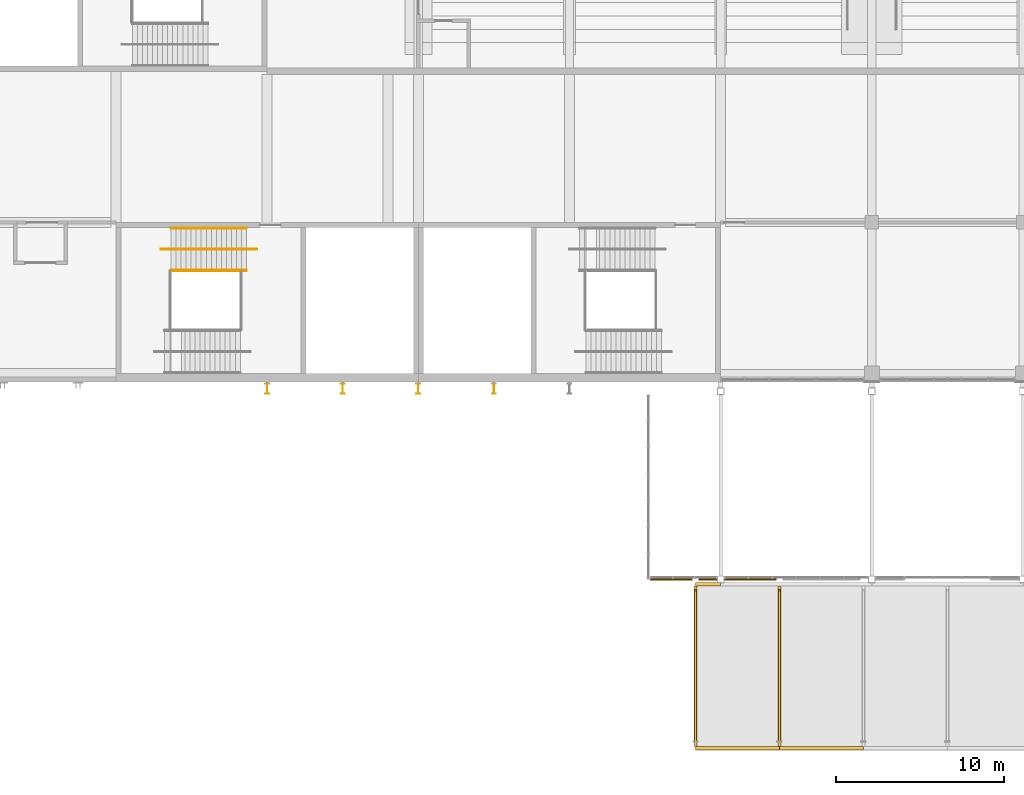
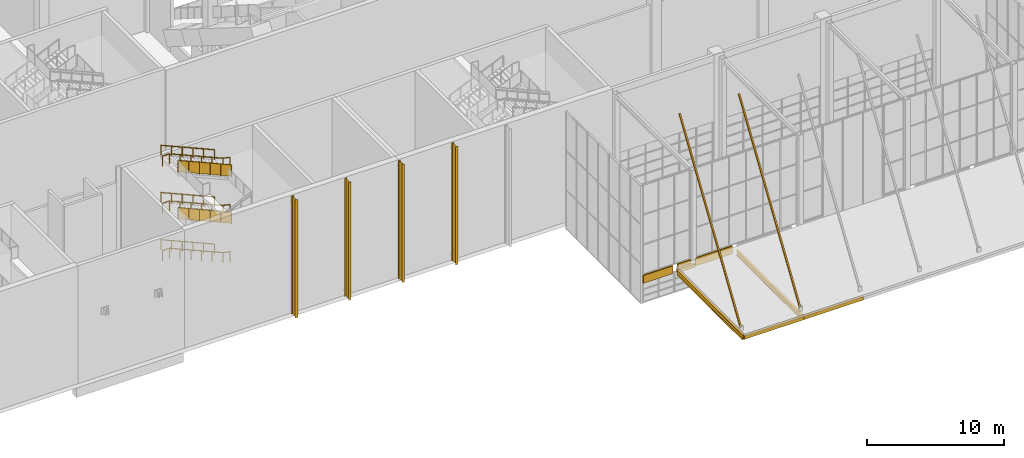
# One storey, part 140 of 182: 11 shading devices, 9 railings, 3 coverings.
"""IFC4 building model written with IfcOpenShell, lengths in metres."""

from ifc_helpers import new_model, si_unit, direction, frame, origin, origin_2d, place, context, subcontext, project, spatial, polyline, hollow_rectangle, circle, i_section, outline, extrude, material, layer, layer_set, material_profile, profile_set, type_object, element, save


model = new_model("IFC4")

# Units and contexts
model_context = context("Model", 3, precision=1e-05, world=origin(), true_north=direction((0.0, 1.0)))
body_context = subcontext(model_context, "Body", "Model", "MODEL_VIEW")
ifc_project = project(units=[si_unit("LENGTHUNIT", "METRE"), si_unit("AREAUNIT", "SQUARE_METRE"), si_unit("VOLUMEUNIT", "CUBIC_METRE"), si_unit("PLANEANGLEUNIT", "RADIAN"), si_unit("MASSUNIT", "GRAM", prefix="KILO")], contexts=[model_context])

# Site, building, storey
site_placement = place(None, origin())
site = spatial("IfcSite", under=ifc_project, at=site_placement, CompositionType="ELEMENT")
building_placement = place(site_placement, origin())
building = spatial("IfcBuilding", under=site, at=building_placement, Name="Silverbay Arena", CompositionType="ELEMENT")
storey_placement = place(building_placement, frame((0.0, 0.0, 11.5)))
storey = spatial("IfcBuildingStorey", under=building, at=storey_placement, Name="L02", CompositionType="ELEMENT", Elevation=11.5)

# Coverings
ifc_material_1 = material(Name="Aluminium composite cladding", Category="aluminium")
ifc_layer = layer(ifc_material_1, 0.10009765625)
ifc_layer_set = layer_set([ifc_layer], Name="Aluminium composite cladding")
covering_type = type_object("IfcCoveringType", Name="Canopy band cladding 100", PredefinedType="CLADDING", material=ifc_layer_set)
covering_1_placement = place(storey_placement, frame((0.0, 0.0, 1.800048828125)))
element("IfcCovering", 1, at=covering_1_placement, inside=storey, type_object=covering_type, Name="Canopy band cladding", PredefinedType="CLADDING", context=body_context, shape_type="SweptSolid", body=[
    extrude(outline(polyline([(117.199951171875, 5.699951171875), (120.300048828125, 5.699951171875), (120.300048828125, 5.800048828125), (117.199951171875, 5.800048828125), (117.199951171875, 5.699951171875)])), origin(), (0.0, 0.0, 1.0), 0.699951171875),
])
covering_2_placement = place(storey_placement, frame((0.0, 0.0, 1.800048828125)))
element("IfcCovering", 2, at=covering_2_placement, inside=storey, type_object=covering_type, Name="Canopy band cladding", PredefinedType="CLADDING", context=body_context, shape_type="SweptSolid", body=[
    extrude(outline(polyline([(112.800048828125, 5.699951171875), (115.300048828125, 5.699951171875), (115.300048828125, 5.800048828125), (112.800048828125, 5.800048828125), (112.800048828125, 5.699951171875)])), origin(), (0.0, 0.0, 1.0), 0.699951171875),
])
covering_3_placement = place(storey_placement, frame((0.0, 0.0, 1.800048828125)))
element("IfcCovering", 3, at=covering_3_placement, inside=storey, type_object=covering_type, Name="Canopy band cladding", PredefinedType="CLADDING", context=body_context, shape_type="SweptSolid", body=[
    extrude(outline(polyline([(115.699951171875, 5.699951171875), (116.800048828125, 5.699951171875), (116.800048828125, 5.800048828125), (115.699951171875, 5.800048828125), (115.699951171875, 5.699951171875)])), origin(), (0.0, 0.0, 1.0), 0.699951171875),
])

# Shading devices
ifc_material_2 = material(Name="Steel S355", Category="steel")
ifc_material_profile_1 = material_profile(ifc_material_2, i_section(OverallWidth=0.18994140625, OverallDepth=0.453369140625, WebThickness=0.008544921875, FlangeThickness=0.0126953125, at=origin_2d()), Name="UB 457x191x67")
ifc_profile_set_1 = profile_set([ifc_material_profile_1], Name="Steel S355")
shading_device_type_1 = type_object("IfcShadingDeviceType", Name="Canopy beam UB 457x191x67", PredefinedType="USERDEFINED", material=ifc_profile_set_1)
for number, where, z_axis, x_axis, name in (
    (4, (115.5, 5.35009765625, 2.0732421875), (0.0, -1.0, 0.0), (1.0, 0.0, 0.0), "South entrance hall S1 canopy beam 1"),
    (5, (120.5, 5.35009765625, 2.0732421875), (0.0, -1.0, 0.0), (1.0, 0.0, 0.0), "South entrance hall S1 canopy beam 2"),
):
    element("IfcShadingDevice", number, at=place(storey_placement, frame(where, z_axis=z_axis, x_axis=x_axis)), inside=storey, type_object=shading_device_type_1, Name=name, ObjectType="CANOPY FRAME", PredefinedType="USERDEFINED", context=body_context, shape_type="SweptSolid", body=[
        extrude(i_section(OverallWidth=0.18994140625, OverallDepth=0.453369140625, WebThickness=0.008544921875, FlangeThickness=0.0126953125, at=origin_2d()), origin(), (0.0, 0.0, 1.0), 9.550048828125),
    ])
ifc_material_3 = material(Name="Steel S355", Category="steel")
ifc_material_profile_2 = material_profile(ifc_material_3, hollow_rectangle(XDim=0.199951171875, YDim=0.300048828125, WallThickness=0.008056640625, at=origin_2d()), Name="RHS 300x200x8")
ifc_profile_set_2 = profile_set([ifc_material_profile_2], Name="Steel S355")
shading_device_type_2 = type_object("IfcShadingDeviceType", Name="Canopy edge beam RHS 300x200x8", PredefinedType="USERDEFINED", material=ifc_profile_set_2)
for number, where, z_axis, x_axis, name in (
    (6, (115.5, -4.300048828125, 2.14990234375), (1.0, 0.0, 0.0), (0.0, 1.0, 0.0), "South entrance hall S1 canopy edge beam 1"),
    (7, (120.5, -4.300048828125, 2.14990234375), (1.0, 0.0, 0.0), (0.0, 1.0, 0.0), "South entrance hall S1 canopy edge beam 2"),
):
    element("IfcShadingDevice", number, at=place(storey_placement, frame(where, z_axis=z_axis, x_axis=x_axis)), inside=storey, type_object=shading_device_type_2, Name=name, ObjectType="CANOPY FRAME", PredefinedType="USERDEFINED", context=body_context, shape_type="SweptSolid", body=[
        extrude(hollow_rectangle(XDim=0.199951171875, YDim=0.300048828125, WallThickness=0.008056640625, at=origin_2d()), origin(), (0.0, 0.0, 1.0), 5.0),
    ])
ifc_material_4 = material(Name="Steel S355", Category="steel")
ifc_material_profile_3 = material_profile(ifc_material_4, hollow_rectangle(XDim=0.199951171875, YDim=0.300048828125, WallThickness=0.008056640625, at=origin_2d()), Name="RHS 300x200x8")
ifc_profile_set_3 = profile_set([ifc_material_profile_3], Name="Steel S355")
shading_device_type_3 = type_object("IfcShadingDeviceType", Name="Canopy rail RHS 300x200x8", PredefinedType="USERDEFINED", material=ifc_profile_set_3)
shading_device_placement = place(storey_placement, frame((115.5, 5.449951171875, 2.14990234375), z_axis=(1.0, 0.0, 0.0), x_axis=(0.0, 1.0, 0.0)))
element("IfcShadingDevice", 8, at=shading_device_placement, inside=storey, type_object=shading_device_type_3, Name="South entrance hall S1 canopy rail 1", ObjectType="CANOPY FRAME", PredefinedType="USERDEFINED", context=body_context, shape_type="SweptSolid", body=[
    extrude(hollow_rectangle(XDim=0.199951171875, YDim=0.300048828125, WallThickness=0.008056640625, at=origin_2d()), origin(), (0.0, 0.0, 1.0), 1.5),
])
ifc_material_5 = material(Name="Steel S355", Category="steel")
ifc_material_profile_4 = material_profile(ifc_material_5, hollow_rectangle(XDim=0.1201171875, YDim=0.1201171875, WallThickness=0.00634765625, at=origin_2d()), Name="SHS 120x120x6.3")
ifc_profile_set_4 = profile_set([ifc_material_profile_4], Name="Steel S355")
shading_device_type_4 = type_object("IfcShadingDeviceType", Name="Canopy tie SHS 120x120x6.3", PredefinedType="USERDEFINED", material=ifc_profile_set_4)
for number, where, z_axis, x_axis, name in (
    (9, (115.5, 5.10009765625, 16.35009765625), (0.0, -0.54832609761, -0.83626460566), (1.0, 0.0, 0.0), "South entrance hall S1 canopy tie 1"),
    (10, (120.5, 5.10009765625, 16.35009765625), (0.0, -0.54832609761, -0.83626460566), (1.0, 0.0, 0.0), "South entrance hall S1 canopy tie 2"),
):
    element("IfcShadingDevice", number, at=place(storey_placement, frame(where, z_axis=z_axis, x_axis=x_axis)), inside=storey, type_object=shading_device_type_4, Name=name, ObjectType="CANOPY FRAME", PredefinedType="USERDEFINED", context=body_context, shape_type="SweptSolid", body=[
        extrude(hollow_rectangle(XDim=0.1201171875, YDim=0.1201171875, WallThickness=0.00634765625, at=origin_2d()), origin(), (0.0, 0.0, 1.0), 16.32275390625),
    ])

# Railings
ifc_material_6 = material(Name="Stainless steel", Category="steel")
railing_type_1 = type_object("IfcRailingType", Name="Stair guard 1100", PredefinedType="GUARDRAIL", material=ifc_material_6)
railing_1_placement = place(storey_placement, frame((88.774169921875, 24.125, 4.331298828125)))
element("IfcRailing", 11, at=railing_1_placement, inside=storey, type_object=railing_type_1, Name="Stair ST-S1 L02 to L03 flight 3 guard right", PredefinedType="GUARDRAIL", context=body_context, shape_type="SweptSolid", body=[
    extrude(circle(Radius=0.02392578125, at=origin_2d()), frame((0.0, 0.0, 1.076171875), z_axis=(-0.916157334902, 0.0, 0.40081883402), x_axis=(0.0, -1.0, 0.0)), (0.0, 0.0, 1.0), 4.911865234375),
    extrude(outline(polyline([(-0.008056640625, 0.04638671875), (0.907958984375, 0.447265625), (0.907958984375, 1.4501953125), (-0.008056640625, 1.049560546875), (-0.008056640625, 0.04638671875)])), frame((0.0, -0.0029296875, 0.0), z_axis=(0.0, 1.0, 0.0), x_axis=(-1.0, 0.0, 0.0)), (0.0, 0.0, 1.0), 0.006103515625),
    extrude(outline(polyline([(-0.008056640625, 0.440185546875), (0.907958984375, 0.841064453125), (0.907958984375, 1.843994140625), (-0.008056640625, 1.443359375), (-0.008056640625, 0.440185546875)])), frame((-0.89990234375, -0.0029296875, 0.0), z_axis=(0.0, 1.0, 0.0), x_axis=(-1.0, 0.0, 0.0)), (0.0, 0.0, 1.0), 0.006103515625),
    extrude(outline(polyline([(-0.008056640625, 0.833984375), (0.907958984375, 1.23486328125), (0.907958984375, 2.23779296875), (-0.008056640625, 1.8369140625), (-0.008056640625, 0.833984375)])), frame((-1.800048828125, -0.0029296875, 0.0), z_axis=(0.0, 1.0, 0.0), x_axis=(-1.0, 0.0, 0.0)), (0.0, 0.0, 1.0), 0.006103515625),
    extrude(outline(polyline([(-0.008056640625, 1.227783203125), (0.907958984375, 1.62841796875), (0.907958984375, 2.631591796875), (-0.008056640625, 2.230712890625), (-0.008056640625, 1.227783203125)])), frame((-2.699951171875, -0.0029296875, 0.0), z_axis=(0.0, 1.0, 0.0), x_axis=(-1.0, 0.0, 0.0)), (0.0, 0.0, 1.0), 0.006103515625),
    extrude(outline(polyline([(-0.008056640625, 1.62158203125), (0.907958984375, 2.022216796875), (0.907958984375, 3.025146484375), (-0.008056640625, 2.62451171875), (-0.008056640625, 1.62158203125)])), frame((-3.60009765625, -0.0029296875, 0.0), z_axis=(0.0, 1.0, 0.0), x_axis=(-1.0, 0.0, 0.0)), (0.0, 0.0, 1.0), 0.006103515625),
    extrude(circle(Radius=0.02099609375, at=origin_2d()), origin(), (0.0, 0.0, 1.0), 1.052001953125),
    extrude(circle(Radius=0.02099609375, at=origin_2d()), frame((-0.89990234375, 0.0, 0.393798828125)), (0.0, 0.0, 1.0), 1.052001953125),
    extrude(circle(Radius=0.02099609375, at=origin_2d()), frame((-1.800048828125, 0.0, 0.78759765625)), (0.0, 0.0, 1.0), 1.052001953125),
    extrude(circle(Radius=0.02099609375, at=origin_2d()), frame((-2.699951171875, 0.0, 1.18115234375)), (0.0, 0.0, 1.0), 1.052001953125),
    extrude(circle(Radius=0.02099609375, at=origin_2d()), frame((-3.60009765625, 0.0, 1.574951171875)), (0.0, 0.0, 1.0), 1.052001953125),
    extrude(circle(Radius=0.02099609375, at=origin_2d()), frame((-4.5, 0.0, 1.96875)), (0.0, 0.0, 1.0), 1.052001953125),
])
railing_2_placement = place(storey_placement, frame((88.774169921875, 24.125, 8.53125)))
element("IfcRailing", 12, at=railing_2_placement, inside=storey, type_object=railing_type_1, Name="Stair ST-S1 L02 to L03 flight 5 guard right", PredefinedType="GUARDRAIL", context=body_context, shape_type="SweptSolid", body=[
    extrude(circle(Radius=0.02392578125, at=origin_2d()), frame((0.0, 0.0, 1.076171875), z_axis=(-0.916157334902, 0.0, 0.40081883402), x_axis=(0.0, -1.0, 0.0)), (0.0, 0.0, 1.0), 4.911865234375),
    extrude(outline(polyline([(-0.008056640625, 0.04638671875), (0.907958984375, 0.447265625), (0.907958984375, 1.4501953125), (-0.008056640625, 1.049560546875), (-0.008056640625, 0.04638671875)])), frame((0.0, -0.0029296875, 0.0), z_axis=(0.0, 1.0, 0.0), x_axis=(-1.0, 0.0, 0.0)), (0.0, 0.0, 1.0), 0.006103515625),
    extrude(outline(polyline([(-0.008056640625, 0.440185546875), (0.907958984375, 0.841064453125), (0.907958984375, 1.843994140625), (-0.008056640625, 1.443359375), (-0.008056640625, 0.440185546875)])), frame((-0.89990234375, -0.0029296875, 0.0), z_axis=(0.0, 1.0, 0.0), x_axis=(-1.0, 0.0, 0.0)), (0.0, 0.0, 1.0), 0.006103515625),
    extrude(outline(polyline([(-0.008056640625, 0.833984375), (0.907958984375, 1.23486328125), (0.907958984375, 2.23779296875), (-0.008056640625, 1.8369140625), (-0.008056640625, 0.833984375)])), frame((-1.800048828125, -0.0029296875, 0.0), z_axis=(0.0, 1.0, 0.0), x_axis=(-1.0, 0.0, 0.0)), (0.0, 0.0, 1.0), 0.006103515625),
    extrude(outline(polyline([(-0.008056640625, 1.227783203125), (0.907958984375, 1.62841796875), (0.907958984375, 2.631591796875), (-0.008056640625, 2.230712890625), (-0.008056640625, 1.227783203125)])), frame((-2.699951171875, -0.0029296875, 0.0), z_axis=(0.0, 1.0, 0.0), x_axis=(-1.0, 0.0, 0.0)), (0.0, 0.0, 1.0), 0.006103515625),
    extrude(outline(polyline([(-0.008056640625, 1.62158203125), (0.907958984375, 2.022216796875), (0.907958984375, 3.025146484375), (-0.008056640625, 2.62451171875), (-0.008056640625, 1.62158203125)])), frame((-3.60009765625, -0.0029296875, 0.0), z_axis=(0.0, 1.0, 0.0), x_axis=(-1.0, 0.0, 0.0)), (0.0, 0.0, 1.0), 0.006103515625),
    extrude(circle(Radius=0.02099609375, at=origin_2d()), origin(), (0.0, 0.0, 1.0), 1.052001953125),
    extrude(circle(Radius=0.02099609375, at=origin_2d()), frame((-0.89990234375, 0.0, 0.393798828125)), (0.0, 0.0, 1.0), 1.052001953125),
    extrude(circle(Radius=0.02099609375, at=origin_2d()), frame((-1.800048828125, 0.0, 0.78759765625)), (0.0, 0.0, 1.0), 1.052001953125),
    extrude(circle(Radius=0.02099609375, at=origin_2d()), frame((-2.699951171875, 0.0, 1.18115234375)), (0.0, 0.0, 1.0), 1.052001953125),
    extrude(circle(Radius=0.02099609375, at=origin_2d()), frame((-3.60009765625, 0.0, 1.574951171875)), (0.0, 0.0, 1.0), 1.052001953125),
    extrude(circle(Radius=0.02099609375, at=origin_2d()), frame((-4.5, 0.0, 1.96875)), (0.0, 0.0, 1.0), 1.052001953125),
])
ifc_material_7 = material(Name="Stainless steel", Category="steel")
railing_type_2 = type_object("IfcRailingType", Name="Stair handrail 900", PredefinedType="HANDRAIL", material=ifc_material_7)
railing_3_placement = place(storey_placement, frame((88.774169921875, 26.64990234375, 0.13134765625)))
element("IfcRailing", 13, at=railing_3_placement, inside=storey, type_object=railing_type_2, Name="Stair ST-S1 L02 to L03 flight 1 handrail left", PredefinedType="HANDRAIL", context=body_context, shape_type="SweptSolid", body=[
    extrude(circle(Radius=0.02392578125, at=origin_2d()), frame((0.0, 0.0, 0.8759765625), z_axis=(-0.916157334902, 0.0, 0.40081883402), x_axis=(0.0, -1.0, 0.0)), (0.0, 0.0, 1.0), 4.911865234375),
    extrude(circle(Radius=0.02099609375, at=origin_2d()), origin(), (0.0, 0.0, 1.0), 0.851806640625),
    extrude(circle(Radius=0.02099609375, at=origin_2d()), frame((-0.89990234375, 0.0, 0.393798828125)), (0.0, 0.0, 1.0), 0.851806640625),
    extrude(circle(Radius=0.02099609375, at=origin_2d()), frame((-1.800048828125, 0.0, 0.78759765625)), (0.0, 0.0, 1.0), 0.851806640625),
    extrude(circle(Radius=0.02099609375, at=origin_2d()), frame((-2.699951171875, 0.0, 1.18115234375)), (0.0, 0.0, 1.0), 0.851806640625),
    extrude(circle(Radius=0.02099609375, at=origin_2d()), frame((-3.60009765625, 0.0, 1.574951171875)), (0.0, 0.0, 1.0), 0.851806640625),
    extrude(circle(Radius=0.02099609375, at=origin_2d()), frame((-4.5, 0.0, 1.96875)), (0.0, 0.0, 1.0), 0.851806640625),
])
railing_4_placement = place(storey_placement, frame((89.374267578125, 25.39990234375, 0.0)))
element("IfcRailing", 14, at=railing_4_placement, inside=storey, type_object=railing_type_2, Name="Stair ST-S1 L02 to L03 flight 1 central handrail", PredefinedType="HANDRAIL", context=body_context, shape_type="SweptSolid", body=[
    extrude(circle(Radius=0.02392578125, at=origin_2d()), frame((0.0, 0.0, 0.8759765625), z_axis=(-0.976874083041, 0.0, 0.213815401414), x_axis=(0.0, -1.0, 0.0)), (0.0, 0.0, 1.0), 0.6142578125),
    extrude(circle(Radius=0.02392578125, at=origin_2d()), frame((-0.60009765625, 0.0, 1.00732421875), z_axis=(-0.916157334902, 0.0, 0.40081883402), x_axis=(0.0, -1.0, 0.0)), (0.0, 0.0, 1.0), 4.911865234375),
    extrude(circle(Radius=0.02392578125, at=origin_2d()), frame((-5.10009765625, 0.0, 2.97607421875), z_axis=(-1.0, 0.0, 0.0), x_axis=(0.0, -1.0, 0.0)), (0.0, 0.0, 1.0), 0.599853515625),
    extrude(circle(Radius=0.02099609375, at=origin_2d()), origin(), (0.0, 0.0, 1.0), 0.851806640625),
    extrude(circle(Radius=0.02099609375, at=origin_2d()), frame((-0.60009765625, 0.0, 0.13134765625)), (0.0, 0.0, 1.0), 0.851806640625),
    extrude(circle(Radius=0.02099609375, at=origin_2d()), frame((-1.5, 0.0, 0.525146484375)), (0.0, 0.0, 1.0), 0.851806640625),
    extrude(circle(Radius=0.02099609375, at=origin_2d()), frame((-2.400146484375, 0.0, 0.9189453125)), (0.0, 0.0, 1.0), 0.851806640625),
    extrude(circle(Radius=0.02099609375, at=origin_2d()), frame((-3.300048828125, 0.0, 1.3125)), (0.0, 0.0, 1.0), 0.851806640625),
    extrude(circle(Radius=0.02099609375, at=origin_2d()), frame((-4.2001953125, 0.0, 1.706298828125)), (0.0, 0.0, 1.0), 0.851806640625),
    extrude(circle(Radius=0.02099609375, at=origin_2d()), frame((-5.10009765625, 0.0, 2.10009765625)), (0.0, 0.0, 1.0), 0.851806640625),
    extrude(circle(Radius=0.02099609375, at=origin_2d()), frame((-5.699951171875, 0.0, 2.10009765625)), (0.0, 0.0, 1.0), 0.851806640625),
])
railing_5_placement = place(storey_placement, frame((88.774169921875, 26.64990234375, 4.331298828125)))
element("IfcRailing", 15, at=railing_5_placement, inside=storey, type_object=railing_type_2, Name="Stair ST-S1 L02 to L03 flight 3 handrail left", PredefinedType="HANDRAIL", context=body_context, shape_type="SweptSolid", body=[
    extrude(circle(Radius=0.02392578125, at=origin_2d()), frame((0.0, 0.0, 0.8759765625), z_axis=(-0.916157334902, 0.0, 0.40081883402), x_axis=(0.0, -1.0, 0.0)), (0.0, 0.0, 1.0), 4.911865234375),
    extrude(circle(Radius=0.02099609375, at=origin_2d()), origin(), (0.0, 0.0, 1.0), 0.851806640625),
    extrude(circle(Radius=0.02099609375, at=origin_2d()), frame((-0.89990234375, 0.0, 0.393798828125)), (0.0, 0.0, 1.0), 0.851806640625),
    extrude(circle(Radius=0.02099609375, at=origin_2d()), frame((-1.800048828125, 0.0, 0.78759765625)), (0.0, 0.0, 1.0), 0.851806640625),
    extrude(circle(Radius=0.02099609375, at=origin_2d()), frame((-2.699951171875, 0.0, 1.18115234375)), (0.0, 0.0, 1.0), 0.851806640625),
    extrude(circle(Radius=0.02099609375, at=origin_2d()), frame((-3.60009765625, 0.0, 1.574951171875)), (0.0, 0.0, 1.0), 0.851806640625),
    extrude(circle(Radius=0.02099609375, at=origin_2d()), frame((-4.5, 0.0, 1.96875)), (0.0, 0.0, 1.0), 0.851806640625),
])
railing_6_placement = place(storey_placement, frame((89.374267578125, 25.39990234375, 4.199951171875)))
element("IfcRailing", 16, at=railing_6_placement, inside=storey, type_object=railing_type_2, Name="Stair ST-S1 L02 to L03 flight 3 central handrail", PredefinedType="HANDRAIL", context=body_context, shape_type="SweptSolid", body=[
    extrude(circle(Radius=0.02392578125, at=origin_2d()), frame((0.0, 0.0, 0.8759765625), z_axis=(-0.976874083041, 0.0, 0.213815401414), x_axis=(0.0, -1.0, 0.0)), (0.0, 0.0, 1.0), 0.6142578125),
    extrude(circle(Radius=0.02392578125, at=origin_2d()), frame((-0.60009765625, 0.0, 1.00732421875), z_axis=(-0.916157334902, 0.0, 0.40081883402), x_axis=(0.0, -1.0, 0.0)), (0.0, 0.0, 1.0), 4.911865234375),
    extrude(circle(Radius=0.02392578125, at=origin_2d()), frame((-5.10009765625, 0.0, 2.97607421875), z_axis=(-1.0, 0.0, 0.0), x_axis=(0.0, -1.0, 0.0)), (0.0, 0.0, 1.0), 0.599853515625),
    extrude(circle(Radius=0.02099609375, at=origin_2d()), origin(), (0.0, 0.0, 1.0), 0.851806640625),
    extrude(circle(Radius=0.02099609375, at=origin_2d()), frame((-0.60009765625, 0.0, 0.13134765625)), (0.0, 0.0, 1.0), 0.851806640625),
    extrude(circle(Radius=0.02099609375, at=origin_2d()), frame((-1.5, 0.0, 0.525146484375)), (0.0, 0.0, 1.0), 0.851806640625),
    extrude(circle(Radius=0.02099609375, at=origin_2d()), frame((-2.400146484375, 0.0, 0.9189453125)), (0.0, 0.0, 1.0), 0.851806640625),
    extrude(circle(Radius=0.02099609375, at=origin_2d()), frame((-3.300048828125, 0.0, 1.3125)), (0.0, 0.0, 1.0), 0.851806640625),
    extrude(circle(Radius=0.02099609375, at=origin_2d()), frame((-4.2001953125, 0.0, 1.706298828125)), (0.0, 0.0, 1.0), 0.851806640625),
    extrude(circle(Radius=0.02099609375, at=origin_2d()), frame((-5.10009765625, 0.0, 2.10009765625)), (0.0, 0.0, 1.0), 0.851806640625),
    extrude(circle(Radius=0.02099609375, at=origin_2d()), frame((-5.699951171875, 0.0, 2.10009765625)), (0.0, 0.0, 1.0), 0.851806640625),
])
for number, where, name in (
    (17, (88.774169921875, 26.64990234375, 8.53125), "Stair ST-S1 L02 to L03 flight 5 handrail left"),
    (18, (88.774169921875, 24.1640625, 8.53125), "Stair ST-S1 L02 to L03 flight 5 handrail right"),
):
    element("IfcRailing", number, at=place(storey_placement, frame(where)), inside=storey, type_object=railing_type_2, Name=name, PredefinedType="HANDRAIL", context=body_context, shape_type="SweptSolid", body=[
        extrude(circle(Radius=0.02392578125, at=origin_2d()), frame((0.0, 0.0, 0.8759765625), z_axis=(-0.916157334902, 0.0, 0.40081883402), x_axis=(0.0, -1.0, 0.0)), (0.0, 0.0, 1.0), 4.911865234375),
        extrude(circle(Radius=0.02099609375, at=origin_2d()), origin(), (0.0, 0.0, 1.0), 0.851806640625),
        extrude(circle(Radius=0.02099609375, at=origin_2d()), frame((-0.89990234375, 0.0, 0.393798828125)), (0.0, 0.0, 1.0), 0.851806640625),
        extrude(circle(Radius=0.02099609375, at=origin_2d()), frame((-1.800048828125, 0.0, 0.78759765625)), (0.0, 0.0, 1.0), 0.851806640625),
        extrude(circle(Radius=0.02099609375, at=origin_2d()), frame((-2.699951171875, 0.0, 1.18115234375)), (0.0, 0.0, 1.0), 0.851806640625),
        extrude(circle(Radius=0.02099609375, at=origin_2d()), frame((-3.60009765625, 0.0, 1.574951171875)), (0.0, 0.0, 1.0), 0.851806640625),
        extrude(circle(Radius=0.02099609375, at=origin_2d()), frame((-4.5, 0.0, 1.96875)), (0.0, 0.0, 1.0), 0.851806640625),
    ])
railing_7_placement = place(storey_placement, frame((89.374267578125, 25.39990234375, 8.39990234375)))
element("IfcRailing", 19, at=railing_7_placement, inside=storey, type_object=railing_type_2, Name="Stair ST-S1 L02 to L03 flight 5 central handrail", PredefinedType="HANDRAIL", context=body_context, shape_type="SweptSolid", body=[
    extrude(circle(Radius=0.02392578125, at=origin_2d()), frame((0.0, 0.0, 0.8759765625), z_axis=(-0.976874083041, 0.0, 0.213815401414), x_axis=(0.0, -1.0, 0.0)), (0.0, 0.0, 1.0), 0.6142578125),
    extrude(circle(Radius=0.02392578125, at=origin_2d()), frame((-0.60009765625, 0.0, 1.00732421875), z_axis=(-0.916157334902, 0.0, 0.40081883402), x_axis=(0.0, -1.0, 0.0)), (0.0, 0.0, 1.0), 4.911865234375),
    extrude(circle(Radius=0.02392578125, at=origin_2d()), frame((-5.10009765625, 0.0, 2.97607421875), z_axis=(-1.0, 0.0, 0.0), x_axis=(0.0, -1.0, 0.0)), (0.0, 0.0, 1.0), 0.599853515625),
    extrude(circle(Radius=0.02099609375, at=origin_2d()), origin(), (0.0, 0.0, 1.0), 0.851806640625),
    extrude(circle(Radius=0.02099609375, at=origin_2d()), frame((-0.60009765625, 0.0, 0.13134765625)), (0.0, 0.0, 1.0), 0.851806640625),
    extrude(circle(Radius=0.02099609375, at=origin_2d()), frame((-1.5, 0.0, 0.525146484375)), (0.0, 0.0, 1.0), 0.851806640625),
    extrude(circle(Radius=0.02099609375, at=origin_2d()), frame((-2.400146484375, 0.0, 0.9189453125)), (0.0, 0.0, 1.0), 0.851806640625),
    extrude(circle(Radius=0.02099609375, at=origin_2d()), frame((-3.300048828125, 0.0, 1.3125)), (0.0, 0.0, 1.0), 0.851806640625),
    extrude(circle(Radius=0.02099609375, at=origin_2d()), frame((-4.2001953125, 0.0, 1.706298828125)), (0.0, 0.0, 1.0), 0.851806640625),
    extrude(circle(Radius=0.02099609375, at=origin_2d()), frame((-5.10009765625, 0.0, 2.10009765625)), (0.0, 0.0, 1.0), 0.851806640625),
    extrude(circle(Radius=0.02099609375, at=origin_2d()), frame((-5.699951171875, 0.0, 2.10009765625)), (0.0, 0.0, 1.0), 0.851806640625),
])

# Shading devices
ifc_material_8 = material(Name="Steel S355", Category="steel")
ifc_material_profile_5 = material_profile(ifc_material_8, i_section(OverallWidth=0.2275390625, OverallDepth=0.6025390625, WebThickness=0.010498046875, FlangeThickness=0.014892578125, at=origin_2d()), Name="UB 610x229x101")
ifc_profile_set_5 = profile_set([ifc_material_profile_5], Name="Steel S355")
shading_device_type_5 = type_object("IfcShadingDeviceType", Name="Steel fin UB 610x229x101", PredefinedType="USERDEFINED", material=ifc_profile_set_5)
for number, where, z_axis, x_axis, name in (
    (20, (90.0, 17.0986328125, 0.0), (0.0, 0.0, 1.0), (1.0, 0.0, 0.0), "Steel fin S L02 8"),
    (21, (94.5, 17.0986328125, 0.0), (0.0, 0.0, 1.0), (1.0, 0.0, 0.0), "Steel fin S L02 9"),
    (22, (99.0, 17.0986328125, 0.0), (0.0, 0.0, 1.0), (1.0, 0.0, 0.0), "Steel fin S L02 10"),
    (23, (103.5, 17.0986328125, 0.0), (0.0, 0.0, 1.0), (1.0, 0.0, 0.0), "Steel fin S L02 11"),
):
    element("IfcShadingDevice", number, at=place(storey_placement, frame(where, z_axis=z_axis, x_axis=x_axis)), inside=storey, type_object=shading_device_type_5, Name=name, ObjectType="FIN", PredefinedType="USERDEFINED", context=body_context, shape_type="SweptSolid", body=[
        extrude(i_section(OverallWidth=0.2275390625, OverallDepth=0.6025390625, WebThickness=0.010498046875, FlangeThickness=0.014892578125, at=origin_2d()), origin(), (0.0, 0.0, 1.0), 10.5),
    ])

save(model, "model.ifc")
